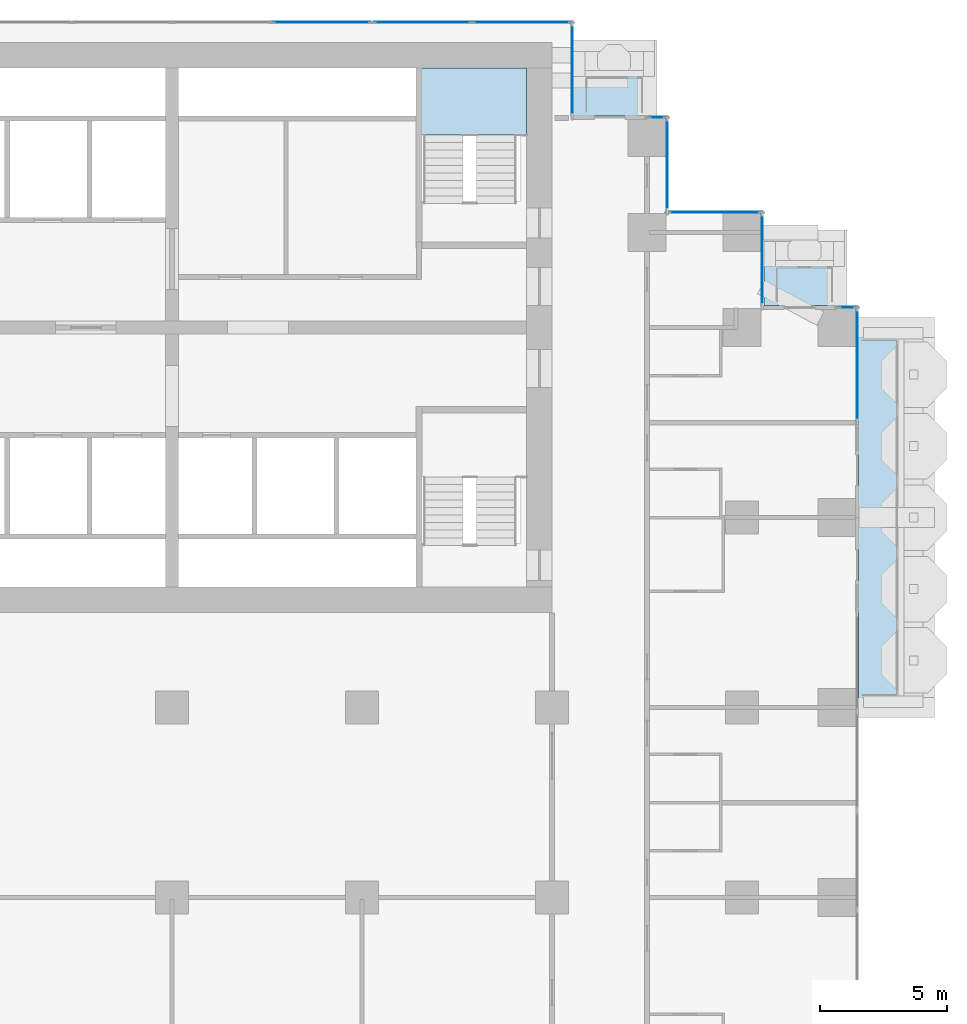
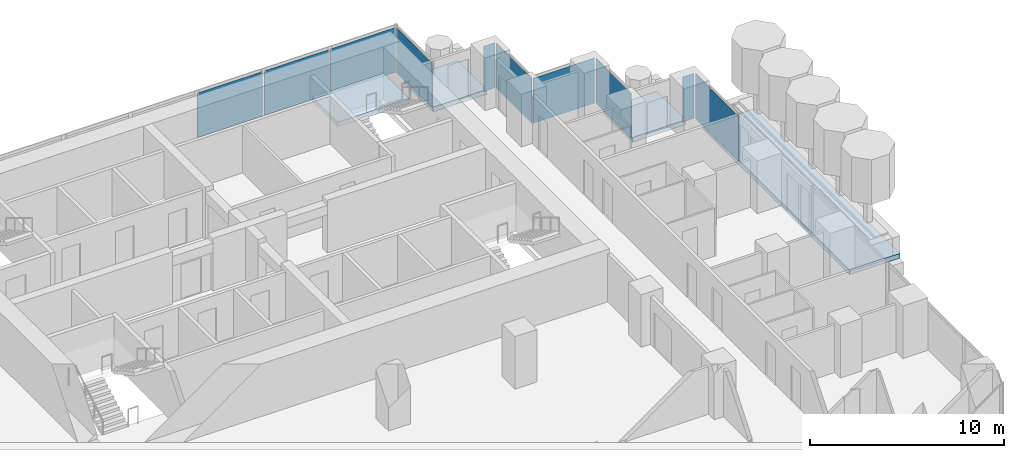
# One storey, part 10 of 19: 10 plates, 4 slabs, 10 elements without a shape of their own.
"""IFC4 building model written with IfcOpenShell, lengths in metres."""

from ifc_helpers import new_model, si_unit, direction, frame, origin, origin_2d, place, context, subcontext, project, spatial, polyline, rectangle, outline, extrude, material, layer, layer_set, type_object, element, aggregate, save


model = new_model("IFC4")

# Units and contexts
model_context = context("Model", 3, precision=1e-05, world=origin(), true_north=direction((0.0, 1.0)))
body_context = subcontext(model_context, "Body", "Model", "MODEL_VIEW")
ifc_project = project(units=[si_unit("LENGTHUNIT", "METRE"), si_unit("AREAUNIT", "SQUARE_METRE"), si_unit("VOLUMEUNIT", "CUBIC_METRE"), si_unit("PLANEANGLEUNIT", "RADIAN"), si_unit("MASSUNIT", "GRAM", prefix="KILO")], contexts=[model_context])

# Site, building, storey
site_placement = place(None, origin())
site = spatial("IfcSite", under=ifc_project, at=site_placement, CompositionType="ELEMENT")
building_placement = place(site_placement, origin())
building = spatial("IfcBuilding", under=site, at=building_placement, Name="Pilkhan Gate Tower", CompositionType="ELEMENT")
storey_placement = place(building_placement, frame((0.0, 0.0, 79.10009765625)))
storey = spatial("IfcBuildingStorey", under=building, at=storey_placement, Name="L18", CompositionType="ELEMENT", Elevation=79.10009765625)

# Slabs
ifc_material_1 = material(Name="Concrete C60/75", Category="concrete")
ifc_layer_1 = layer(ifc_material_1, 0.300048828125)
ifc_layer_set_1 = layer_set([ifc_layer_1], Name="Balcony tray slab TR300")
slab_type_1 = type_object("IfcSlabType", Name="Balcony tray slab TR300", PredefinedType="FLOOR", material=ifc_layer_set_1)
slab_1_placement = place(storey_placement, frame((0.0, 0.0, -0.300048828125)))
element("IfcSlab", 1, at=slab_1_placement, inside=storey, type_object=slab_type_1, Name="Balcony tray L18 E", PredefinedType="FLOOR", context=body_context, shape_type="SweptSolid", body=[
    extrude(outline(polyline([(105.10009765625, 67.5), (105.10009765625, 82.5), (102.10009765625, 82.5), (102.10009765625, 67.5), (105.10009765625, 67.5)])), origin(), (0.0, 0.0, 1.0), 0.300048828125),
])
slab_2_placement = place(storey_placement, frame((0.0, 0.0, -0.300048828125)))
element("IfcSlab", 2, at=slab_2_placement, inside=storey, type_object=slab_type_1, Name="Balcony tray L18 N", PredefinedType="FLOOR", context=body_context, shape_type="SweptSolid", body=[
    extrude(outline(polyline([(94.050048828125, 90.85009765625), (94.050048828125, 93.85009765625), (90.85009765625, 93.85009765625), (90.85009765625, 90.85009765625), (94.050048828125, 90.85009765625)])), origin(), (0.0, 0.0, 1.0), 0.300048828125),
])
slab_3_placement = place(storey_placement, frame((0.0, 0.0, -0.300048828125)))
element("IfcSlab", 3, at=slab_3_placement, inside=storey, type_object=slab_type_1, Name="Balcony tray L18 N", PredefinedType="FLOOR", context=body_context, shape_type="SweptSolid", body=[
    extrude(outline(polyline([(101.550048828125, 83.3701171875), (101.550048828125, 86.35009765625), (98.3701171875, 86.35009765625), (98.3701171875, 83.3701171875), (101.550048828125, 83.3701171875)])), origin(), (0.0, 0.0, 1.0), 0.300048828125),
])

# Curtain wall, plate
ifc_material_2 = material(Name="Pale anodised aluminium, clear low-iron double glazing", Category="aluminium")
curtain_wall_type = type_object("IfcCurtainWallType", Name="Hotel unitised curtain wall CW-H", PredefinedType="USERDEFINED", material=ifc_material_2)
curtain_wall_1_placement = place(storey_placement, origin())
curtain_wall_1 = element("IfcCurtainWall", 4, at=curtain_wall_1_placement, inside=storey, type_object=curtain_wall_type, Name="Hotel unitised curtain wall CW-H L18 E", ObjectType="UNITISED CURTAIN WALL", PredefinedType="USERDEFINED")
ifc_material_3 = material(Name="Clear low-iron double glazing", Category="glass")
ifc_layer_2 = layer(ifc_material_3, 0.035888671875)
ifc_layer_set_2 = layer_set([ifc_layer_2], Name="Glass panel CW-H 36")
plate_type = type_object("IfcPlateType", Name="Glass panel CW-H 36", PredefinedType="CURTAIN_PANEL", material=ifc_layer_set_2)
plate_1_placement = place(storey_placement, frame((102.044921875, 81.0224609375, 0.0), z_axis=(0.0, 0.0, 1.0), x_axis=(0.0, 1.0, 0.0)))
plate_1 = element("IfcPlate", 5, at=plate_1_placement, type_object=plate_type, Name="CW-H panel 1", PredefinedType="CURTAIN_PANEL", context=body_context, shape_type="SweptSolid", body=[
    extrude(rectangle(XDim=4.4150390625, YDim=0.035888671875, at=origin_2d()), origin(), (0.0, 0.0, 1.0), 2.820068359375),
])
aggregate(curtain_wall_1, [plate_1])

curtain_wall_2_placement = place(storey_placement, origin())
curtain_wall_2 = element("IfcCurtainWall", 6, at=curtain_wall_2_placement, inside=storey, type_object=curtain_wall_type, Name="Hotel unitised curtain wall CW-H L18 N", ObjectType="UNITISED CURTAIN WALL", PredefinedType="USERDEFINED")
plate_2_placement = place(storey_placement, frame((101.6474609375, 83.294921875, 0.0), z_axis=(0.0, 0.0, 1.0), x_axis=(1.0, 0.0, 0.0)))
plate_2 = element("IfcPlate", 7, at=plate_2_placement, type_object=plate_type, Name="CW-H panel 1", PredefinedType="CURTAIN_PANEL", context=body_context, shape_type="SweptSolid", body=[
    extrude(rectangle(XDim=0.6650390625, YDim=0.035888671875, at=origin_2d()), origin(), (0.0, 0.0, 1.0), 2.820068359375),
])
aggregate(curtain_wall_2, [plate_2])

curtain_wall_3_placement = place(storey_placement, origin())
curtain_wall_3 = element("IfcCurtainWall", 8, at=curtain_wall_3_placement, inside=storey, type_object=curtain_wall_type, Name="Hotel unitised curtain wall CW-H L18 E", ObjectType="UNITISED CURTAIN WALL", PredefinedType="USERDEFINED")
plate_3_placement = place(storey_placement, frame((98.294921875, 85.169921875, 0.0), z_axis=(0.0, 0.0, 1.0), x_axis=(0.0, 1.0, 0.0)))
plate_3 = element("IfcPlate", 9, at=plate_3_placement, type_object=plate_type, Name="CW-H panel 1", PredefinedType="CURTAIN_PANEL", context=body_context, shape_type="SweptSolid", body=[
    extrude(rectangle(XDim=3.6201171875, YDim=0.035888671875, at=origin_2d()), origin(), (0.0, 0.0, 1.0), 2.820068359375),
])
aggregate(curtain_wall_3, [plate_3])

curtain_wall_4_placement = place(storey_placement, origin())
curtain_wall_4 = element("IfcCurtainWall", 10, at=curtain_wall_4_placement, inside=storey, type_object=curtain_wall_type, Name="Hotel unitised curtain wall CW-H L18 N", ObjectType="UNITISED CURTAIN WALL", PredefinedType="USERDEFINED")
plate_4_placement = place(storey_placement, frame((96.419921875, 87.044921875, 0.0), z_axis=(0.0, 0.0, 1.0), x_axis=(1.0, 0.0, 0.0)))
plate_4 = element("IfcPlate", 11, at=plate_4_placement, type_object=plate_type, Name="CW-H panel 1", PredefinedType="CURTAIN_PANEL", context=body_context, shape_type="SweptSolid", body=[
    extrude(rectangle(XDim=3.6201171875, YDim=0.035888671875, at=origin_2d()), origin(), (0.0, 0.0, 1.0), 2.820068359375),
])
aggregate(curtain_wall_4, [plate_4])

curtain_wall_5_placement = place(storey_placement, origin())
curtain_wall_5 = element("IfcCurtainWall", 12, at=curtain_wall_5_placement, inside=storey, type_object=curtain_wall_type, Name="Hotel unitised curtain wall CW-H L18 E", ObjectType="UNITISED CURTAIN WALL", PredefinedType="USERDEFINED")
plate_5_placement = place(storey_placement, frame((94.544921875, 88.919921875, 0.0), z_axis=(0.0, 0.0, 1.0), x_axis=(0.0, 1.0, 0.0)))
plate_5 = element("IfcPlate", 13, at=plate_5_placement, type_object=plate_type, Name="CW-H panel 1", PredefinedType="CURTAIN_PANEL", context=body_context, shape_type="SweptSolid", body=[
    extrude(rectangle(XDim=3.6201171875, YDim=0.035888671875, at=origin_2d()), origin(), (0.0, 0.0, 1.0), 2.820068359375),
])
aggregate(curtain_wall_5, [plate_5])

curtain_wall_6_placement = place(storey_placement, origin())
curtain_wall_6 = element("IfcCurtainWall", 14, at=curtain_wall_6_placement, inside=storey, type_object=curtain_wall_type, Name="Hotel unitised curtain wall CW-H L18 N", ObjectType="UNITISED CURTAIN WALL", PredefinedType="USERDEFINED")
plate_6_placement = place(storey_placement, frame((94.1474609375, 90.794921875, 0.0), z_axis=(0.0, 0.0, 1.0), x_axis=(1.0, 0.0, 0.0)))
plate_6 = element("IfcPlate", 15, at=plate_6_placement, type_object=plate_type, Name="CW-H panel 1", PredefinedType="CURTAIN_PANEL", context=body_context, shape_type="SweptSolid", body=[
    extrude(rectangle(XDim=0.6650390625, YDim=0.035888671875, at=origin_2d()), origin(), (0.0, 0.0, 1.0), 2.820068359375),
])
aggregate(curtain_wall_6, [plate_6])

curtain_wall_7_placement = place(storey_placement, origin())
curtain_wall_7 = element("IfcCurtainWall", 16, at=curtain_wall_7_placement, inside=storey, type_object=curtain_wall_type, Name="Hotel unitised curtain wall CW-H L18 E", ObjectType="UNITISED CURTAIN WALL", PredefinedType="USERDEFINED")
plate_7_placement = place(storey_placement, frame((90.794921875, 92.669921875, 0.0), z_axis=(0.0, 0.0, 1.0), x_axis=(0.0, 1.0, 0.0)))
plate_7 = element("IfcPlate", 17, at=plate_7_placement, type_object=plate_type, Name="CW-H panel 1", PredefinedType="CURTAIN_PANEL", context=body_context, shape_type="SweptSolid", body=[
    extrude(rectangle(XDim=3.6201171875, YDim=0.035888671875, at=origin_2d()), origin(), (0.0, 0.0, 1.0), 2.820068359375),
])
aggregate(curtain_wall_7, [plate_7])

curtain_wall_8_placement = place(storey_placement, origin())
curtain_wall_8 = element("IfcCurtainWall", 18, at=curtain_wall_8_placement, inside=storey, type_object=curtain_wall_type, Name="Hotel unitised curtain wall CW-H L18 N", ObjectType="UNITISED CURTAIN WALL", PredefinedType="USERDEFINED")
plate_8_placement = place(storey_placement, frame((80.906982421875, 94.544921875, 0.0), z_axis=(0.0, 0.0, 1.0), x_axis=(1.0, 0.0, 0.0)))
plate_8 = element("IfcPlate", 19, at=plate_8_placement, type_object=plate_type, Name="CW-H panel 3", PredefinedType="CURTAIN_PANEL", context=body_context, shape_type="SweptSolid", body=[
    extrude(rectangle(XDim=3.851318359375, YDim=0.035888671875, at=origin_2d()), origin(), (0.0, 0.0, 1.0), 2.820068359375),
])
aggregate(curtain_wall_8, [plate_8])

# Curtain wall, plates
curtain_wall_9_placement = place(storey_placement, origin())
curtain_wall_9 = element("IfcCurtainWall", 20, at=curtain_wall_9_placement, inside=storey, type_object=curtain_wall_type, Name="Hotel unitised curtain wall CW-H L18 N", ObjectType="UNITISED CURTAIN WALL", PredefinedType="USERDEFINED")
plate_9_placement = place(storey_placement, frame((84.88818359375, 94.544921875, 0.0), z_axis=(0.0, 0.0, 1.0), x_axis=(1.0, 0.0, 0.0)))
plate_9 = element("IfcPlate", 21, at=plate_9_placement, type_object=plate_type, Name="CW-H panel 1", PredefinedType="CURTAIN_PANEL", context=body_context, shape_type="SweptSolid", body=[
    extrude(rectangle(XDim=3.851318359375, YDim=0.035888671875, at=origin_2d()), origin(), (0.0, 0.0, 1.0), 2.820068359375),
])
plate_10_placement = place(storey_placement, frame((88.804443359375, 94.544921875, 0.0), z_axis=(0.0, 0.0, 1.0), x_axis=(1.0, 0.0, 0.0)))
plate_10 = element("IfcPlate", 22, at=plate_10_placement, type_object=plate_type, Name="CW-H panel 2", PredefinedType="CURTAIN_PANEL", context=body_context, shape_type="SweptSolid", body=[
    extrude(rectangle(XDim=3.851318359375, YDim=0.035888671875, at=origin_2d()), origin(), (0.0, 0.0, 1.0), 2.820068359375),
])
aggregate(curtain_wall_9, [plate_9, plate_10])

# Stair, slab
ifc_material_4 = material(Name="Concrete C40/50 precast", Category="concrete")
stair_type = type_object("IfcStairType", Name="Stair ST4 165x300", PredefinedType="HALF_TURN_STAIR", material=ifc_material_4)
stair_placement = place(storey_placement, origin())
stair = element("IfcStair", 23, at=stair_placement, inside=storey, type_object=stair_type, Name="Stair ST4 L18", PredefinedType="HALF_TURN_STAIR")
ifc_material_5 = material(Name="Concrete C40/50", Category="concrete")
ifc_layer_3 = layer(ifc_material_5, 0.199951171875)
ifc_layer_set_3 = layer_set([ifc_layer_3], Name="Stair landing SL200")
slab_type_2 = type_object("IfcSlabType", Name="Stair landing SL200", PredefinedType="LANDING", material=ifc_layer_set_3)
slab_4_placement = place(storey_placement, frame((0.0, 0.0, 1.349853515625)))
slab_4 = element("IfcSlab", 24, at=slab_4_placement, type_object=slab_type_2, Name="ST4 landing 1", PredefinedType="LANDING", context=body_context, shape_type="SweptSolid", body=[
    extrude(outline(polyline([(89.0, 90.10009765625), (89.0, 92.75), (84.75, 92.75), (84.75, 90.10009765625), (89.0, 90.10009765625)])), origin(), (0.0, 0.0, 1.0), 0.300048828125),
])
aggregate(stair, [slab_4])

save(model, "model.ifc")
